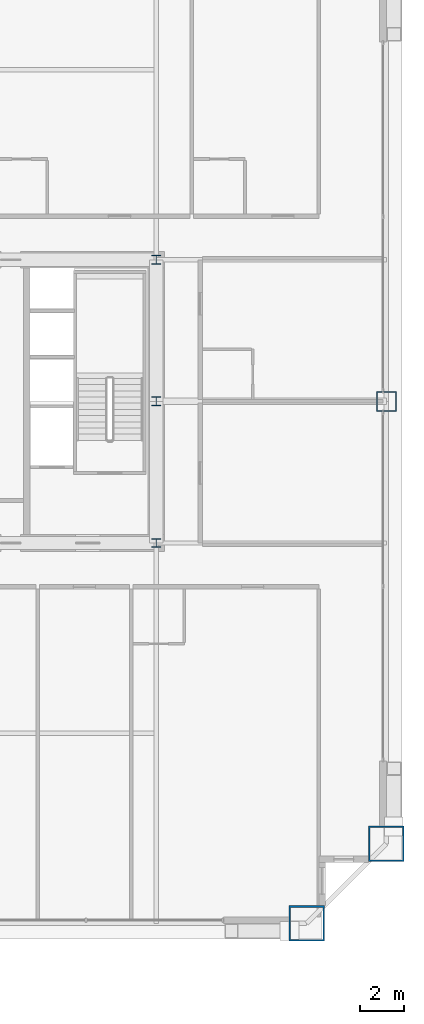
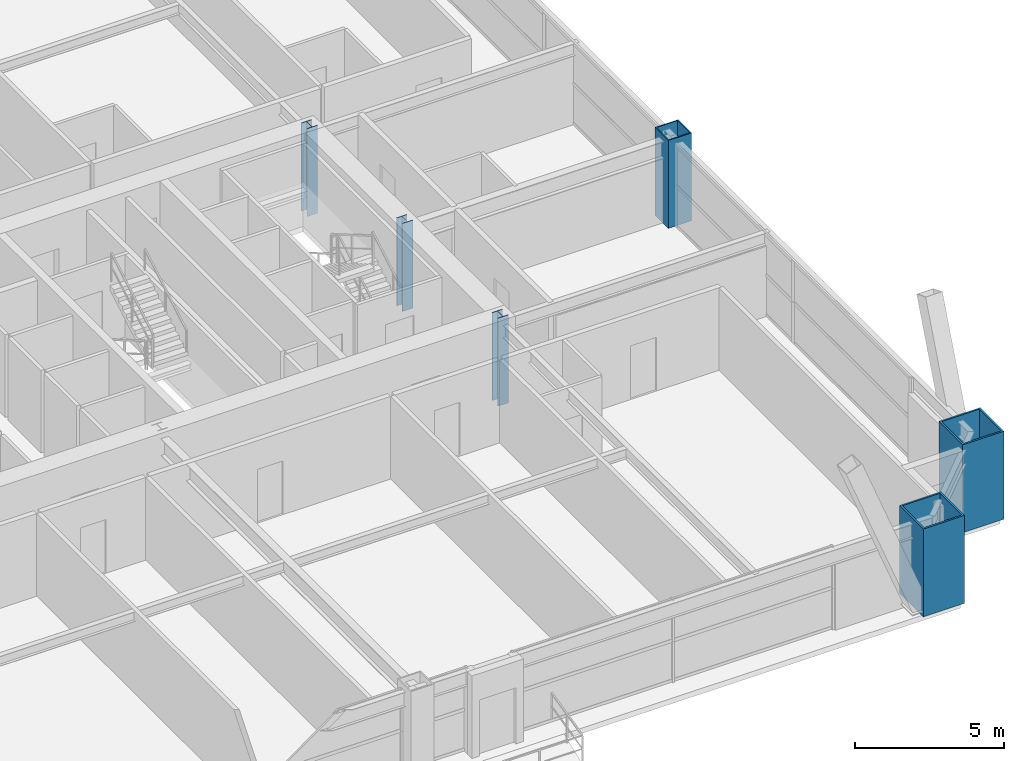
# One storey, part 2 of 41: 6 columns.
"""IFC4 building model written with IfcOpenShell, lengths in metres."""

from ifc_helpers import new_model, si_unit, direction, frame, origin, origin_2d, place, context, subcontext, project, spatial, hollow_rectangle, i_section, extrude, source, transform, mapped, material, material_profile, profile_set, type_object, element, save


model = new_model("IFC4")

# Units and contexts
model_context = context("Model", 3, precision=1e-05, world=origin(), true_north=direction((0.0, 1.0)))
body_context = subcontext(model_context, "Body", "Model", "MODEL_VIEW")
ifc_project = project(units=[si_unit("LENGTHUNIT", "METRE"), si_unit("AREAUNIT", "SQUARE_METRE"), si_unit("VOLUMEUNIT", "CUBIC_METRE"), si_unit("PLANEANGLEUNIT", "RADIAN"), si_unit("MASSUNIT", "GRAM", prefix="KILO"), si_unit("THERMODYNAMICTEMPERATUREUNIT", "KELVIN"), si_unit("POWERUNIT", "WATT")], contexts=[model_context])

# Site, building, storey
site_placement = place(None, origin())
site = spatial("IfcSite", under=ifc_project, at=site_placement, CompositionType="ELEMENT")
building_placement = place(site_placement, origin())
building = spatial("IfcBuilding", under=site, at=building_placement, Name="Yuzanri Waterfront Tower", CompositionType="ELEMENT")
storey_placement = place(building_placement, frame((0.0, 0.0, 152.39990234375)))
storey = spatial("IfcBuildingStorey", under=building, at=storey_placement, Name="L40", CompositionType="ELEMENT", Elevation=152.39990234375)

# Columns
ifc_material_1 = material(Name="Steel Q390GJC", Category="steel")
ifc_material_profile_1 = material_profile(ifc_material_1, hollow_rectangle(XDim=0.89990234375, YDim=0.89990234375, WallThickness=0.0419921875, at=origin_2d()), Name="RHS 900x900x42")
ifc_profile_set_1 = profile_set([ifc_material_profile_1], Name="Steel Q390GJC")
column_type_1 = type_object("IfcColumnType", Name="Frame Column Q390GJC RHS 900x900x42", PredefinedType="COLUMN", material=ifc_profile_set_1)
shared_shape_1 = source(origin(), body_context, "Body", "SweptSolid", [
    extrude(hollow_rectangle(XDim=0.89990234375, YDim=0.89990234375, WallThickness=0.0419921875, at=origin_2d()), origin(), (0.0, 0.0, 1.0), 3.60009765625),
])
column_placement = place(storey_placement, frame((60.60009765625, 25.800048828125, 0.0), z_axis=(0.0, 0.0, 1.0), x_axis=(1.0, 0.0, 0.0)))
element("IfcColumn", 1, at=column_placement, inside=storey, type_object=column_type_1, Name="L40 Perimeter Frame Column E2", PredefinedType="COLUMN", context=body_context, shape_type="MappedRepresentation", body=[
    mapped(shared_shape_1, transform((0.0, 0.0, 0.0), scale=1.0)),
])
ifc_material_2 = material(Name="Steel Q420GJC", Category="steel")
ifc_material_profile_2 = material_profile(ifc_material_2, hollow_rectangle(XDim=1.60009765625, YDim=1.60009765625, WallThickness=0.070068359375, at=origin_2d()), Name="RHS 1600x1600x70")
ifc_profile_set_2 = profile_set([ifc_material_profile_2], Name="Steel Q420GJC")
column_type_2 = type_object("IfcColumnType", Name="Mega Column Q420GJC RHS 1600x1600x70", PredefinedType="COLUMN", material=ifc_profile_set_2)
shared_shape_2 = source(origin(), body_context, "Body", "SweptSolid", [
    extrude(hollow_rectangle(XDim=1.60009765625, YDim=1.60009765625, WallThickness=0.070068359375, at=origin_2d()), origin(), (0.0, 0.0, 1.0), 3.60009765625),
])
for number, where, z_axis, x_axis, name in (
    (2, (57.0, 2.199951171875, 0.0), (0.0, 0.0, 1.0), (1.0, 0.0, 0.0), "L40 Perimeter Mega Column S3"),
    (3, (60.60009765625, 5.800048828125, 0.0), (0.0, 0.0, 1.0), (1.0, 0.0, 0.0), "L40 Perimeter Mega Column E1"),
):
    element("IfcColumn", number, at=place(storey_placement, frame(where, z_axis=z_axis, x_axis=x_axis)), inside=storey, type_object=column_type_2, Name=name, PredefinedType="COLUMN", context=body_context, shape_type="MappedRepresentation", body=[
        mapped(shared_shape_2, transform((0.0, 0.0, 0.0), scale=1.0)),
    ])
ifc_material_3 = material(Name="Steel Q355B", Category="steel")
ifc_material_profile_3 = material_profile(ifc_material_3, i_section(OverallWidth=0.39990234375, OverallDepth=0.39990234375, WebThickness=0.012939453125, FlangeThickness=0.02099609375, at=origin_2d()), Name="HW 400x400x13x21")
ifc_profile_set_3 = profile_set([ifc_material_profile_3], Name="Steel Q355B")
column_type_3 = type_object("IfcColumnType", Name="Core Post Q355B HW 400x400x13x21", PredefinedType="COLUMN", material=ifc_profile_set_3)
shared_shape_3 = source(origin(), body_context, "Body", "SweptSolid", [
    extrude(i_section(OverallWidth=0.39990234375, OverallDepth=0.39990234375, WebThickness=0.012939453125, FlangeThickness=0.02099609375, at=origin_2d()), origin(), (0.0, 0.0, 1.0), 3.60009765625),
])
for number, where, z_axis, x_axis, name in (
    (4, (50.199951171875, 19.39990234375, 0.0), (0.0, 0.0, 1.0), (1.0, 0.0, 0.0), "L40 Core Boundary Column CP3"),
    (5, (50.199951171875, 25.800048828125, 0.0), (0.0, 0.0, 1.0), (1.0, 0.0, 0.0), "L40 Core Boundary Column CP5"),
    (6, (50.199951171875, 32.199951171875, 0.0), (0.0, 0.0, 1.0), (1.0, 0.0, 0.0), "L40 Core Boundary Column CP8"),
):
    element("IfcColumn", number, at=place(storey_placement, frame(where, z_axis=z_axis, x_axis=x_axis)), inside=storey, type_object=column_type_3, Name=name, PredefinedType="COLUMN", context=body_context, shape_type="MappedRepresentation", body=[
        mapped(shared_shape_3, transform((0.0, 0.0, 0.0), scale=1.0)),
    ])

save(model, "model.ifc")
